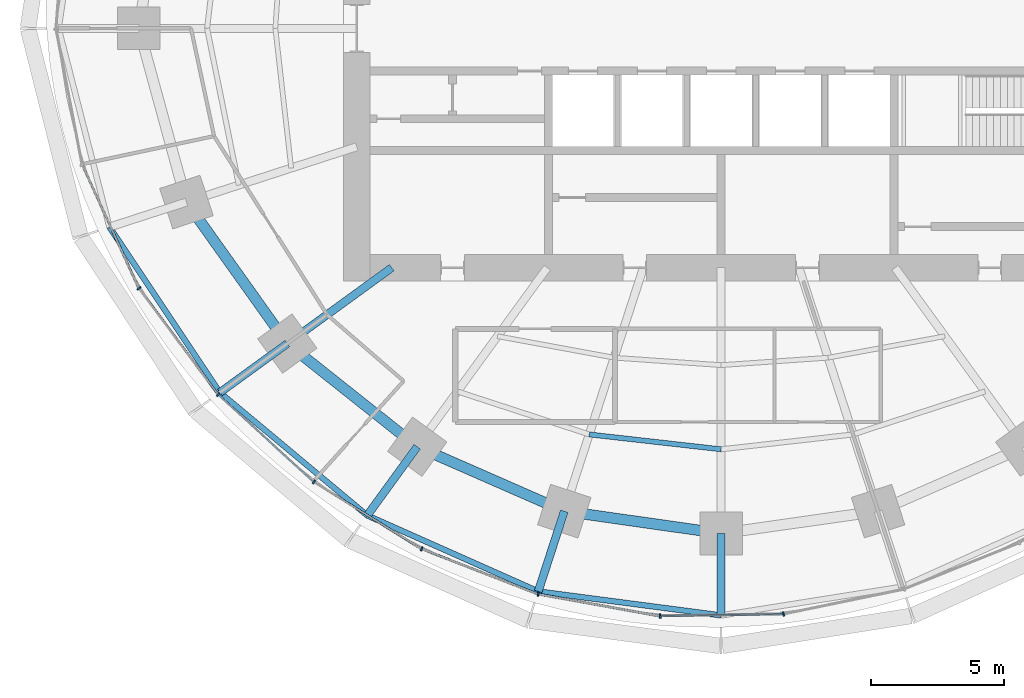
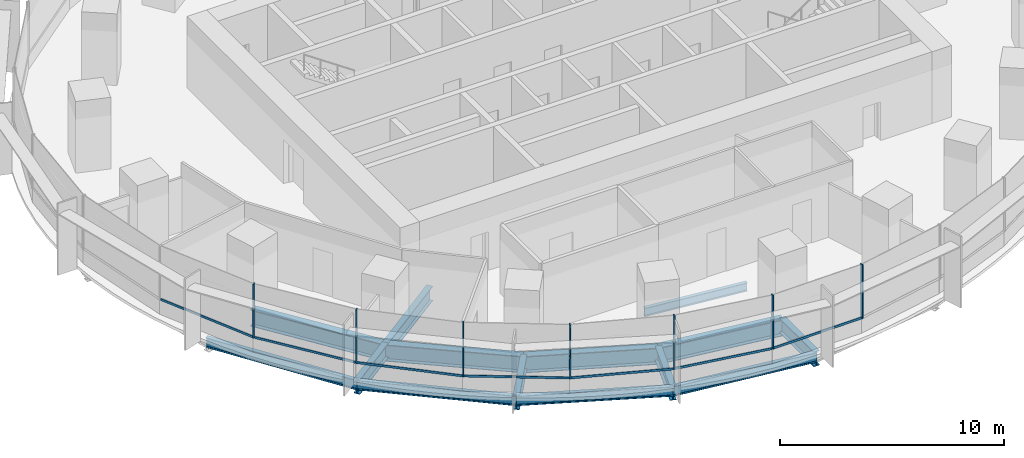
# One storey, part 2 of 14: 14 beams, 14 members, 2 elements without a shape of their own.
"""IFC4 building model written with IfcOpenShell, lengths in metres."""

from ifc_helpers import new_model, si_unit, direction, frame, origin, origin_2d, place, context, subcontext, project, spatial, rectangle, i_section, extrude, material, material_profile, profile_set, type_object, element, aggregate, save


model = new_model("IFC4")

# Units and contexts
model_context = context("Model", 3, precision=1e-05, world=origin(), true_north=direction((0.0, 1.0)))
body_context = subcontext(model_context, "Body", "Model", "MODEL_VIEW")
ifc_project = project(units=[si_unit("LENGTHUNIT", "METRE"), si_unit("AREAUNIT", "SQUARE_METRE"), si_unit("VOLUMEUNIT", "CUBIC_METRE"), si_unit("PLANEANGLEUNIT", "RADIAN"), si_unit("MASSUNIT", "GRAM", prefix="KILO")], contexts=[model_context])

# Site, building, storey
site_placement = place(None, origin())
site = spatial("IfcSite", under=ifc_project, at=site_placement, CompositionType="ELEMENT")
building_placement = place(site_placement, origin())
building = spatial("IfcBuilding", under=site, at=building_placement, Name="Marramba Exchange Tower", CompositionType="ELEMENT")
storey_placement = place(building_placement, frame((0.0, 0.0, 96.300048828125)))
storey = spatial("IfcBuildingStorey", under=building, at=storey_placement, Name="L22", CompositionType="ELEMENT", Elevation=96.300048828125)

# Beams
ifc_material_1 = material(Name="Steel AS/NZS 3679.2 grade 300", Category="steel")
ifc_material_profile_1 = material_profile(ifc_material_1, i_section(OverallWidth=0.300048828125, OverallDepth=0.800048828125, WebThickness=0.013916015625, FlangeThickness=0.031982421875, at=origin_2d()), Name="800WB192")
ifc_profile_set_1 = profile_set([ifc_material_profile_1], Name="Steel AS/NZS 3679.2 grade 300")
beam_type_1 = type_object("IfcBeamType", Name="Cantilever girder 800WB192", PredefinedType="BEAM", material=ifc_profile_set_1)
beam_1_placement = place(storey_placement, frame((-16.3154296875, -11.853759765625, -0.56005859375), z_axis=(-0.809025813822, -0.587773113173, 0.0), x_axis=(0.587773113173, -0.809025813822, 0.0)))
element("IfcBeam", 1, at=beam_1_placement, inside=storey, type_object=beam_type_1, Name="Cantilever girder L22 TC13", PredefinedType="BEAM", context=body_context, shape_type="SweptSolid", body=[
    extrude(i_section(OverallWidth=0.300048828125, OverallDepth=0.800048828125, WebThickness=0.013916015625, FlangeThickness=0.031982421875, at=origin_2d()), origin(), (0.0, 0.0, 1.0), 3.132568359375),
])
beam_2_placement = place(storey_placement, frame((-11.430419921875, -15.732666015625, -0.56005859375), z_axis=(-0.587767308424, -0.809030031054, 0.0), x_axis=(0.809030031054, -0.587767308424, 0.0)))
element("IfcBeam", 2, at=beam_2_placement, inside=storey, type_object=beam_type_1, Name="Cantilever girder L22 TC14", PredefinedType="BEAM", context=body_context, shape_type="SweptSolid", body=[
    extrude(i_section(OverallWidth=0.300048828125, OverallDepth=0.800048828125, WebThickness=0.013916015625, FlangeThickness=0.031982421875, at=origin_2d()), origin(), (0.0, 0.0, 1.0), 3.195556640625),
])
beam_3_placement = place(storey_placement, frame((-5.899658203125, -18.156982421875, -0.56005859375), z_axis=(-0.309018232614, -0.951056113966, 0.0), x_axis=(0.951056113966, -0.309018232614, 0.0)))
element("IfcBeam", 3, at=beam_3_placement, inside=storey, type_object=beam_type_1, Name="Cantilever girder L22 TC15", PredefinedType="BEAM", context=body_context, shape_type="SweptSolid", body=[
    extrude(i_section(OverallWidth=0.300048828125, OverallDepth=0.800048828125, WebThickness=0.013916015625, FlangeThickness=0.031982421875, at=origin_2d()), origin(), (0.0, 0.0, 1.0), 3.173583984375),
])
beam_4_placement = place(storey_placement, frame((0.0, -18.99609375, -0.56005859375), z_axis=(0.0, -1.0, 0.0), x_axis=(1.0, 0.0, 0.0)))
element("IfcBeam", 4, at=beam_4_placement, inside=storey, type_object=beam_type_1, Name="Cantilever girder L22 TC16", PredefinedType="BEAM", context=body_context, shape_type="SweptSolid", body=[
    extrude(i_section(OverallWidth=0.300048828125, OverallDepth=0.800048828125, WebThickness=0.013916015625, FlangeThickness=0.031982421875, at=origin_2d()), origin(), (0.0, 0.0, 1.0), 3.080810546875),
])
ifc_material_2 = material(Name="Steel AS/NZS 3679.1 grade 300", Category="steel")
ifc_material_profile_2 = material_profile(ifc_material_2, i_section(OverallWidth=0.18994140625, OverallDepth=0.4541015625, WebThickness=0.008544921875, FlangeThickness=0.0126953125, FilletRadius=0.011474609375, at=origin_2d()), Name="460UB67.1")
ifc_profile_set_2 = profile_set([ifc_material_profile_2], Name="Steel AS/NZS 3679.1 grade 300")
beam_type_2 = type_object("IfcBeamType", Name="Floor joist 460UB67.1", PredefinedType="JOIST", material=ifc_profile_set_2)
beam_5_placement = place(storey_placement, frame((-4.9619140625, -15.271484375, -0.386962890625), z_axis=(0.993712018573, -0.111966174106, 0.0), x_axis=(0.111966174106, 0.993712018573, 0.0)))
element("IfcBeam", 5, at=beam_5_placement, inside=storey, type_object=beam_type_2, Name="Joist L22 bay 15 row 2", PredefinedType="JOIST", context=body_context, shape_type="SweptSolid", body=[
    extrude(i_section(OverallWidth=0.18994140625, OverallDepth=0.4541015625, WebThickness=0.008544921875, FlangeThickness=0.0126953125, FilletRadius=0.011474609375, at=origin_2d()), origin(), (0.0, 0.0, 1.0), 4.993408203125),
])

# Curtain wall, members
ifc_material_3 = material(Name="Aluminium framing, bronze anodised", Category="aluminium")
curtain_wall_type = type_object("IfcCurtainWallType", Name="Office ribbon curtain wall", PredefinedType="USERDEFINED", material=ifc_material_3)
curtain_wall_1_placement = place(storey_placement, origin())
curtain_wall_1 = element("IfcCurtainWall", 6, at=curtain_wall_1_placement, inside=storey, type_object=curtain_wall_type, Name="Curtain wall CW4 L22 F16-F20", ObjectType="RIBBON CURTAIN WALL", PredefinedType="USERDEFINED")
ifc_material_4 = material(Name="Aluminium mullion, bronze anodised", Category="aluminium")
ifc_material_profile_3 = material_profile(ifc_material_4, rectangle(XDim=0.159912109375, YDim=0.06005859375, at=origin_2d()), Name="CW4 mullion 60x160")
ifc_profile_set_3 = profile_set([ifc_material_profile_3], Name="Aluminium mullion, bronze anodised")
member_type_1 = type_object("IfcMemberType", Name="Office ribbon curtain wall mullion", PredefinedType="MULLION", material=ifc_profile_set_3)
member_1_placement = place(storey_placement, frame((-21.891357421875, -9.778564453125, 0.800048828125), z_axis=(0.0, 0.0, 1.0), x_axis=(0.802014400683, 0.597304697033, 0.0)))
member_1 = element("IfcMember", 7, at=member_1_placement, type_object=member_type_1, Name="CW4 mullion 1", PredefinedType="MULLION", context=body_context, shape_type="SweptSolid", body=[
    extrude(rectangle(XDim=0.159912109375, YDim=0.06005859375, at=origin_2d()), origin(), (0.0, 0.0, 1.0), 2.93994140625),
])
member_2_placement = place(storey_placement, frame((-18.90869140625, -13.774169921875, 0.800048828125), z_axis=(0.0, 0.0, 1.0), x_axis=(0.674995455115, 0.737821886077, 0.0)))
member_2 = element("IfcMember", 8, at=member_2_placement, type_object=member_type_1, Name="CW4 mullion 1", PredefinedType="MULLION", context=body_context, shape_type="SweptSolid", body=[
    extrude(rectangle(XDim=0.159912109375, YDim=0.06005859375, at=origin_2d()), origin(), (0.0, 0.0, 1.0), 2.93994140625),
])
member_3_placement = place(storey_placement, frame((-15.315673828125, -17.053955078125, 0.800048828125), z_axis=(0.0, 0.0, 1.0), x_axis=(0.52942844364, 0.84835459748, 0.0)))
member_3 = element("IfcMember", 9, at=member_3_placement, type_object=member_type_1, Name="CW4 mullion 1", PredefinedType="MULLION", context=body_context, shape_type="SweptSolid", body=[
    extrude(rectangle(XDim=0.159912109375, YDim=0.06005859375, at=origin_2d()), origin(), (0.0, 0.0, 1.0), 2.93994140625),
])

curtain_wall_2_placement = place(storey_placement, origin())
curtain_wall_2 = element("IfcCurtainWall", 10, at=curtain_wall_2_placement, inside=storey, type_object=curtain_wall_type, Name="Curtain wall CW4 L22 F21-F25", ObjectType="RIBBON CURTAIN WALL", PredefinedType="USERDEFINED")
member_4_placement = place(storey_placement, frame((-11.266845703125, -19.573974609375, 0.800048828125), z_axis=(0.0, 0.0, 1.0), x_axis=(0.36292490603, 0.931818390344, 0.0)))
member_4 = element("IfcMember", 11, at=member_4_placement, type_object=member_type_1, Name="CW4 mullion 1", PredefinedType="MULLION", context=body_context, shape_type="SweptSolid", body=[
    extrude(rectangle(XDim=0.159912109375, YDim=0.06005859375, at=origin_2d()), origin(), (0.0, 0.0, 1.0), 2.93994140625),
])
member_5_placement = place(storey_placement, frame((-6.881591796875, -21.27587890625, 0.800048828125), z_axis=(0.0, 0.0, 1.0), x_axis=(0.177992379115, 0.984031865834, 0.0)))
member_5 = element("IfcMember", 12, at=member_5_placement, type_object=member_type_1, Name="CW4 mullion 1", PredefinedType="MULLION", context=body_context, shape_type="SweptSolid", body=[
    extrude(rectangle(XDim=0.159912109375, YDim=0.06005859375, at=origin_2d()), origin(), (0.0, 0.0, 1.0), 2.93994140625),
])
member_6_placement = place(storey_placement, frame((-2.292724609375, -22.099853515625, 0.800048828125), z_axis=(0.0, 0.0, 1.0), x_axis=(-0.015178646521, 0.999884797709, 0.0)))
member_6 = element("IfcMember", 13, at=member_6_placement, type_object=member_type_1, Name="CW4 mullion 1", PredefinedType="MULLION", context=body_context, shape_type="SweptSolid", body=[
    extrude(rectangle(XDim=0.159912109375, YDim=0.06005859375, at=origin_2d()), origin(), (0.0, 0.0, 1.0), 2.93994140625),
])
member_7_placement = place(storey_placement, frame((2.3447265625, -22.02392578125, 0.800048828125), z_axis=(0.0, 0.0, 1.0), x_axis=(-0.202364850159, 0.979310199794, 0.0)))
member_7 = element("IfcMember", 14, at=member_7_placement, type_object=member_type_1, Name="CW4 mullion 1", PredefinedType="MULLION", context=body_context, shape_type="SweptSolid", body=[
    extrude(rectangle(XDim=0.159912109375, YDim=0.06005859375, at=origin_2d()), origin(), (0.0, 0.0, 1.0), 2.93994140625),
])

# Member
ifc_material_5 = material(Name="Aluminium transom, bronze anodised", Category="aluminium")
ifc_material_profile_4 = material_profile(ifc_material_5, rectangle(XDim=0.06005859375, YDim=0.1201171875, at=origin_2d()), Name="CW4 transom 60x120")
ifc_profile_set_4 = profile_set([ifc_material_profile_4], Name="Aluminium transom, bronze anodised")
member_type_2 = type_object("IfcMemberType", Name="Office ribbon curtain wall transom", PredefinedType="USERDEFINED", material=ifc_profile_set_4)
member_8_placement = place(storey_placement, frame((-24.013671875, -5.1640625, 0.829833984375), z_axis=(0.416732948599, -0.909028959688, 0.0), x_axis=(0.909028959688, 0.416732948599, 0.0)))
member_8 = element("IfcMember", 15, at=member_8_placement, type_object=member_type_2, Name="CW4 sill transom", ObjectType="TRANSOM", PredefinedType="USERDEFINED", context=body_context, shape_type="SweptSolid", body=[
    extrude(rectangle(XDim=0.06005859375, YDim=0.1201171875, at=origin_2d()), origin(), (0.0, 0.0, 1.0), 5.050048828125),
])

member_9_placement = place(storey_placement, frame((-21.873291015625, -9.802734375, 0.829833984375), z_axis=(0.597300736643, -0.80201735019, 0.0), x_axis=(0.80201735019, 0.597300736643, 0.0)))
member_9 = element("IfcMember", 16, at=member_9_placement, type_object=member_type_2, Name="CW4 sill transom", ObjectType="TRANSOM", PredefinedType="USERDEFINED", context=body_context, shape_type="SweptSolid", body=[
    extrude(rectangle(XDim=0.06005859375, YDim=0.1201171875, at=origin_2d()), origin(), (0.0, 0.0, 1.0), 4.926513671875),
])

member_10_placement = place(storey_placement, frame((-18.886474609375, -13.79443359375, 0.829833984375), z_axis=(0.737807565469, -0.675011108306, 0.0), x_axis=(0.675011108306, 0.737807565469, 0.0)))
member_10 = element("IfcMember", 17, at=member_10_placement, type_object=member_type_2, Name="CW4 sill transom", ObjectType="TRANSOM", PredefinedType="USERDEFINED", context=body_context, shape_type="SweptSolid", body=[
    extrude(rectangle(XDim=0.06005859375, YDim=0.1201171875, at=origin_2d()), origin(), (0.0, 0.0, 1.0), 4.805419921875),
])

member_11_placement = place(storey_placement, frame((-15.2900390625, -17.06982421875, 0.829833984375), z_axis=(0.848373790728, -0.529397687193, 0.0), x_axis=(0.529397687193, 0.848373790728, 0.0)))
member_11 = element("IfcMember", 18, at=member_11_placement, type_object=member_type_2, Name="CW4 sill transom", ObjectType="TRANSOM", PredefinedType="USERDEFINED", context=body_context, shape_type="SweptSolid", body=[
    extrude(rectangle(XDim=0.06005859375, YDim=0.1201171875, at=origin_2d()), origin(), (0.0, 0.0, 1.0), 4.70947265625),
])

aggregate(curtain_wall_1, [member_8, member_1, member_9, member_2, member_10, member_3, member_11])

member_12_placement = place(storey_placement, frame((-11.23876953125, -19.5849609375, 0.829833984375), z_axis=(0.931817106708, -0.362928201778, 0.0), x_axis=(0.362928201778, 0.931817106708, 0.0)))
member_12 = element("IfcMember", 19, at=member_12_placement, type_object=member_type_2, Name="CW4 sill transom", ObjectType="TRANSOM", PredefinedType="USERDEFINED", context=body_context, shape_type="SweptSolid", body=[
    extrude(rectangle(XDim=0.06005859375, YDim=0.1201171875, at=origin_2d()), origin(), (0.0, 0.0, 1.0), 4.644287109375),
])

member_13_placement = place(storey_placement, frame((-6.85205078125, -21.281005859375, 0.829833984375), z_axis=(0.98402906811, -0.178007845654, 0.0), x_axis=(0.178007845654, 0.98402906811, 0.0)))
member_13 = element("IfcMember", 20, at=member_13_placement, type_object=member_type_2, Name="CW4 sill transom", ObjectType="TRANSOM", PredefinedType="USERDEFINED", context=body_context, shape_type="SweptSolid", body=[
    extrude(rectangle(XDim=0.06005859375, YDim=0.1201171875, at=origin_2d()), origin(), (0.0, 0.0, 1.0), 4.602783203125),
])

member_14_placement = place(storey_placement, frame((-2.262939453125, -22.099365234375, 0.829833984375), z_axis=(0.999885345665, 0.015142507235, 0.0), x_axis=(-0.015142507235, 0.999885345665, 0.0)))
member_14 = element("IfcMember", 21, at=member_14_placement, type_object=member_type_2, Name="CW4 sill transom", ObjectType="TRANSOM", PredefinedType="USERDEFINED", context=body_context, shape_type="SweptSolid", body=[
    extrude(rectangle(XDim=0.06005859375, YDim=0.1201171875, at=origin_2d()), origin(), (0.0, 0.0, 1.0), 4.578857421875),
])

aggregate(curtain_wall_2, [member_4, member_12, member_5, member_13, member_6, member_14, member_7])

# Beams
ifc_material_profile_5 = material_profile(ifc_material_1, i_section(OverallWidth=0.300048828125, OverallDepth=0.800048828125, WebThickness=0.013916015625, FlangeThickness=0.031982421875, at=origin_2d()), Name="800WB192")
ifc_profile_set_5 = profile_set([ifc_material_profile_5], Name="Steel AS/NZS 3679.2 grade 300")
beam_type_3 = type_object("IfcBeamType", Name="Radial girder 800WB192", PredefinedType="BEAM", material=ifc_profile_set_5)
beam_6_placement = place(storey_placement, frame((-12.387451171875, -9.0, -0.56005859375), z_axis=(-0.809025189606, -0.58777397236, 0.0), x_axis=(0.58777397236, -0.809025189606, 0.0)))
element("IfcBeam", 22, at=beam_6_placement, inside=storey, type_object=beam_type_3, Name="Radial girder L22 TC13", PredefinedType="BEAM", context=body_context, shape_type="SweptSolid", body=[
    extrude(i_section(OverallWidth=0.300048828125, OverallDepth=0.800048828125, WebThickness=0.013916015625, FlangeThickness=0.031982421875, at=origin_2d()), origin(), (0.0, 0.0, 1.0), 4.855224609375),
])
ifc_material_profile_6 = material_profile(ifc_material_1, i_section(OverallWidth=0.39990234375, OverallDepth=0.89990234375, WebThickness=0.01611328125, FlangeThickness=0.031982421875, at=origin_2d()), Name="900WB282")
ifc_profile_set_6 = profile_set([ifc_material_profile_6], Name="Steel AS/NZS 3679.2 grade 300")
beam_type_4 = type_object("IfcBeamType", Name="Ring beam 900WB282", PredefinedType="SPANDREL", material=ifc_profile_set_6)
beam_7_placement = place(storey_placement, frame((-20.109375, -6.533935546875, -0.610107421875), z_axis=(0.580637181111, -0.814162430914, 0.0), x_axis=(0.814162430914, 0.580637181111, 0.0)))
element("IfcBeam", 23, at=beam_7_placement, inside=storey, type_object=beam_type_4, Name="Ring beam L22 TC12-TC13", PredefinedType="SPANDREL", context=body_context, shape_type="SweptSolid", body=[
    extrude(i_section(OverallWidth=0.39990234375, OverallDepth=0.89990234375, WebThickness=0.01611328125, FlangeThickness=0.031982421875, at=origin_2d()), origin(), (0.0, 0.0, 1.0), 6.5341796875),
])
beam_8_placement = place(storey_placement, frame((-16.3154296875, -11.853759765625, -0.610107421875), z_axis=(0.783139438128, -0.621846138887, 0.0), x_axis=(0.621846138887, 0.783139438128, 0.0)))
element("IfcBeam", 24, at=beam_8_placement, inside=storey, type_object=beam_type_4, Name="Ring beam L22 TC13-TC14", PredefinedType="SPANDREL", context=body_context, shape_type="SweptSolid", body=[
    extrude(i_section(OverallWidth=0.39990234375, OverallDepth=0.89990234375, WebThickness=0.01611328125, FlangeThickness=0.031982421875, at=origin_2d()), origin(), (0.0, 0.0, 1.0), 6.23779296875),
])
beam_9_placement = place(storey_placement, frame((-11.430419921875, -15.732666015625, -0.610107421875), z_axis=(0.915876892158, -0.4014592363, 0.0), x_axis=(0.4014592363, 0.915876892158, 0.0)))
element("IfcBeam", 25, at=beam_9_placement, inside=storey, type_object=beam_type_4, Name="Ring beam L22 TC14-TC15", PredefinedType="SPANDREL", context=body_context, shape_type="SweptSolid", body=[
    extrude(i_section(OverallWidth=0.39990234375, OverallDepth=0.89990234375, WebThickness=0.01611328125, FlangeThickness=0.031982421875, at=origin_2d()), origin(), (0.0, 0.0, 1.0), 6.038818359375),
])
beam_10_placement = place(storey_placement, frame((-5.899658203125, -18.156982421875, -0.610107421875), z_axis=(0.990036163016, -0.140813337152, 0.0), x_axis=(0.140813337152, 0.990036163016, 0.0)))
element("IfcBeam", 26, at=beam_10_placement, inside=storey, type_object=beam_type_4, Name="Ring beam L22 TC15-TC16", PredefinedType="SPANDREL", context=body_context, shape_type="SweptSolid", body=[
    extrude(i_section(OverallWidth=0.39990234375, OverallDepth=0.89990234375, WebThickness=0.01611328125, FlangeThickness=0.031982421875, at=origin_2d()), origin(), (0.0, 0.0, 1.0), 5.958984375),
])
ifc_material_profile_7 = material_profile(ifc_material_2, i_section(OverallWidth=0.208984375, OverallDepth=0.528076171875, WebThickness=0.009521484375, FlangeThickness=0.01318359375, FilletRadius=0.013916015625, at=origin_2d()), Name="530UB82.0")
ifc_profile_set_7 = profile_set([ifc_material_profile_7], Name="Steel AS/NZS 3679.1 grade 300")
beam_type_5 = type_object("IfcBeamType", Name="Slab edge beam 530UB82.0", PredefinedType="SPANDREL", material=ifc_profile_set_7)
beam_11_placement = place(storey_placement, frame((-23.00341796875, -7.47412109375, -0.424072265625), z_axis=(0.555280023791, -0.831663450669, 0.0), x_axis=(0.831663450669, 0.555280023791, 0.0)))
element("IfcBeam", 27, at=beam_11_placement, inside=storey, type_object=beam_type_5, Name="Slab edge beam L22 TC12-TC13", PredefinedType="SPANDREL", context=body_context, shape_type="SweptSolid", body=[
    extrude(i_section(OverallWidth=0.208984375, OverallDepth=0.528076171875, WebThickness=0.009521484375, FlangeThickness=0.01318359375, FilletRadius=0.013916015625, at=origin_2d()), origin(), (0.0, 0.0, 1.0), 7.480224609375),
])
beam_12_placement = place(storey_placement, frame((-18.849853515625, -13.695068359375, -0.424072265625), z_axis=(0.767874532322, -0.640600267415, 0.0), x_axis=(0.640600267415, 0.767874532322, 0.0)))
element("IfcBeam", 28, at=beam_12_placement, inside=storey, type_object=beam_type_5, Name="Slab edge beam L22 TC13-TC14", PredefinedType="SPANDREL", context=body_context, shape_type="SweptSolid", body=[
    extrude(i_section(OverallWidth=0.208984375, OverallDepth=0.528076171875, WebThickness=0.009521484375, FlangeThickness=0.01318359375, FilletRadius=0.013916015625, at=origin_2d()), origin(), (0.0, 0.0, 1.0), 7.21630859375),
])
beam_13_placement = place(storey_placement, frame((-13.30859375, -18.31787109375, -0.424072265625), z_axis=(0.913788648873, -0.406189986571, 0.0), x_axis=(0.406189986571, 0.913788648873, 0.0)))
element("IfcBeam", 29, at=beam_13_placement, inside=storey, type_object=beam_type_5, Name="Slab edge beam L22 TC14-TC15", PredefinedType="SPANDREL", context=body_context, shape_type="SweptSolid", body=[
    extrude(i_section(OverallWidth=0.208984375, OverallDepth=0.528076171875, WebThickness=0.009521484375, FlangeThickness=0.01318359375, FilletRadius=0.013916015625, at=origin_2d()), origin(), (0.0, 0.0, 1.0), 7.03466796875),
])
beam_14_placement = place(storey_placement, frame((-6.88037109375, -21.17529296875, -0.424072265625), z_axis=(0.991523133546, -0.129930272237, 0.0), x_axis=(0.129930272237, 0.991523133546, 0.0)))
element("IfcBeam", 30, at=beam_14_placement, inside=storey, type_object=beam_type_5, Name="Slab edge beam L22 TC15-TC16", PredefinedType="SPANDREL", context=body_context, shape_type="SweptSolid", body=[
    extrude(i_section(OverallWidth=0.208984375, OverallDepth=0.528076171875, WebThickness=0.009521484375, FlangeThickness=0.01318359375, FilletRadius=0.013916015625, at=origin_2d()), origin(), (0.0, 0.0, 1.0), 6.939208984375),
])

save(model, "model.ifc")
